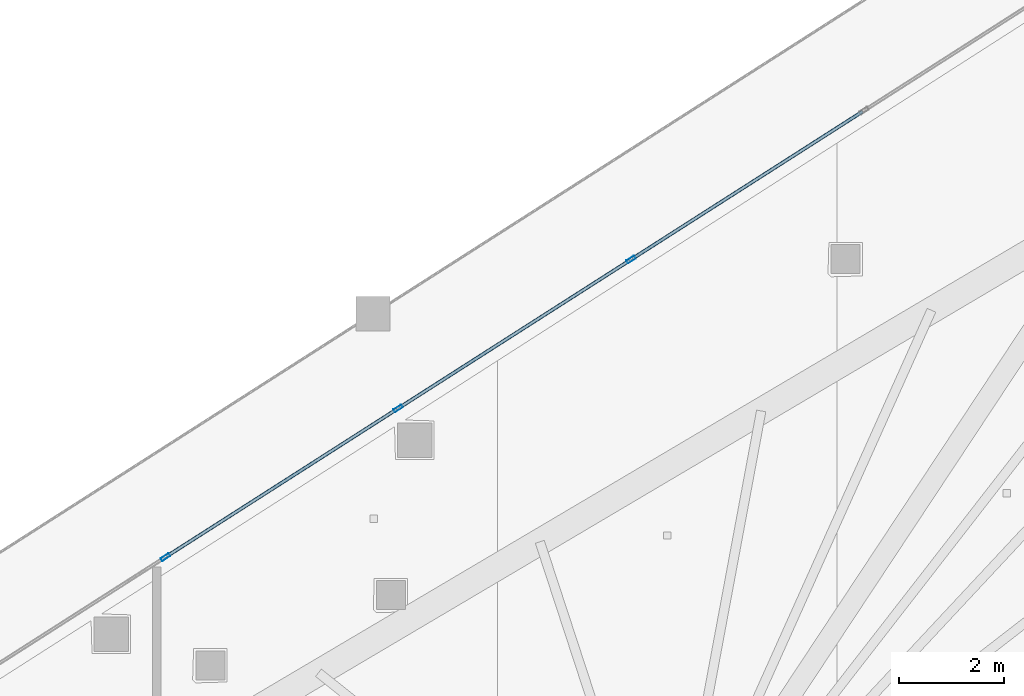
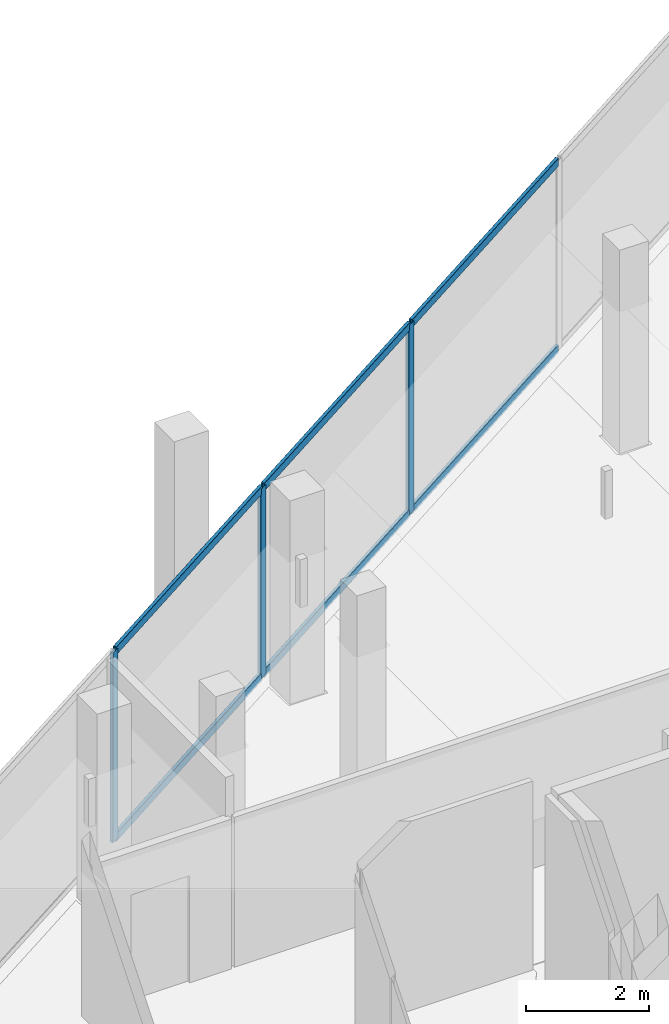
# One storey, part 16 of 30: 9 members, 1 element without a shape of its own.
"""IFC4 building model written with IfcOpenShell, lengths in metres."""

import ifcopenshell
import ifcopenshell.guid

model = None  # the IFC model being written
_history = None  # IfcOwnerHistory: only IFC2X3 demands one
_inside = {}  # id of a spatial element -> (the spatial element, [elements in it])
_under = {}  # id of a project, library or spatial element -> (it, [spatial elements below it])
_declared = {}  # id of a project -> (the project, [libraries it declares])
_typed = {}  # id of a type object -> (the type object, [elements of that type])
_made_of = {}  # id of a material, layer set ... -> (it, [elements and type objects made of it])


def new_model(schema):
    """Start an empty IFC model of exactly this schema.

    Asked for "IFC4X3", IfcOpenShell would pick the latest addendum, in which some entities
    have other attributes; the version numbers below select the first issue.
    IFC2X3 requires an IfcOwnerHistory on every rooted entity: one is made here for all.
    """
    global model, _history
    if schema == "IFC4X3":
        model = ifcopenshell.file(schema_version=(4, 3, 0, 0))
    else:
        model = ifcopenshell.file(schema=schema)
    _inside.clear()
    _under.clear()
    _declared.clear()
    _typed.clear()
    _made_of.clear()
    _history = None
    if model.schema == "IFC2X3":
        org = make("IfcOrganization", Name="unknown")
        user = make(
            "IfcPersonAndOrganization",
            ThePerson=make("IfcPerson", FamilyName="unknown"),
            TheOrganization=org,
        )
        app = make(
            "IfcApplication",
            ApplicationDeveloper=org,
            Version="unknown",
            ApplicationFullName="unknown",
            ApplicationIdentifier="unknown",
        )
        _history = make(
            "IfcOwnerHistory",
            OwningUser=user,
            OwningApplication=app,
            ChangeAction="ADDED",
            CreationDate=0,
        )
    return model


def make(cls, **values):
    """One entity of the class cls with the attributes given. An attribute that is None is left unset."""
    return model.create_entity(
        cls, **{name: value for name, value in values.items() if value is not None}
    )


def rooted(cls, **values):
    """An entity with a GlobalId (a new one), such as an element, a storey or a relation."""
    return make(cls, GlobalId=ifcopenshell.guid.new(), OwnerHistory=_history, **values)


def si_unit(unit_type, name, prefix=None):
    """IfcSIUnit, for example si_unit("LENGTHUNIT", "METRE", prefix="MILLI")."""
    return make("IfcSIUnit", UnitType=unit_type, Prefix=prefix, Name=name)


def assignment(units):
    """IfcUnitAssignment: the units of a project."""
    return None if units is None else make("IfcUnitAssignment", Units=units)


def point(xyz):
    """IfcCartesianPoint."""
    return None if xyz is None else make("IfcCartesianPoint", Coordinates=xyz)


def direction(xyz):
    """IfcDirection."""
    return None if xyz is None else make("IfcDirection", DirectionRatios=xyz)


def frame(location, z_axis=None, x_axis=None):
    """IfcAxis2Placement3D, a coordinate frame: its origin and axes. An axis left out is left unset."""
    return make(
        "IfcAxis2Placement3D",
        Location=point(location),
        Axis=direction(z_axis),
        RefDirection=direction(x_axis),
    )


def frame_2d(location, x_axis=None):
    """IfcAxis2Placement2D, a coordinate frame in the plane: its origin and x axis."""
    return make(
        "IfcAxis2Placement2D", Location=point(location), RefDirection=direction(x_axis)
    )


def origin():
    """The frame at (0, 0, 0) with its axes left unset."""
    return frame((0.0, 0.0, 0.0))


def origin_2d():
    """The frame at (0, 0) in the plane with its x axis left unset."""
    return frame_2d((0.0, 0.0))


def place(relative_to, where):
    """IfcLocalPlacement: puts the frame where relative to a parent placement (None: the world)."""
    return make(
        "IfcLocalPlacement", PlacementRelTo=relative_to, RelativePlacement=where
    )


def context(
    kind, dimensions, precision=None, world=None, true_north=None, identifier=None
):
    """IfcGeometricRepresentationContext, for example the 3D "Model" context."""
    return make(
        "IfcGeometricRepresentationContext",
        ContextIdentifier=identifier,
        ContextType=kind,
        CoordinateSpaceDimension=dimensions,
        Precision=precision,
        WorldCoordinateSystem=world,
        TrueNorth=true_north,
    )


def subcontext(parent, identifier, kind, view, scale=None):
    """IfcGeometricRepresentationSubContext, for example "Body" below "Model"."""
    return make(
        "IfcGeometricRepresentationSubContext",
        ContextIdentifier=identifier,
        ContextType=kind,
        ParentContext=parent,
        TargetScale=scale,
        TargetView=view,
    )


def project(units=None, contexts=None):
    """IfcProject with its units and contexts."""
    return rooted(
        "IfcProject",
        Name="project",
        RepresentationContexts=contexts,
        UnitsInContext=assignment(units),
    )


def spatial(cls, under=None, at=None, **own):
    """A site, building, storey or space (cls), placed at a placement, below another one or the project."""
    s = rooted(cls, ObjectPlacement=at, **own)
    if under is not None:
        _under.setdefault(under.id(), (under, []))[1].append(s)
    return s


def profile(cls, at=None, kind="AREA", **sizes):
    """A parametric profile (cls). Its sizes go by their IFC names, for example OverallWidth=200.0."""
    return make(cls, ProfileType=kind, Position=at, **sizes)


def hollow_rectangle(**sizes):
    """IfcRectangleHollowProfileDef."""
    return profile("IfcRectangleHollowProfileDef", **sizes)


def extrude(swept, where, along, depth):
    """IfcExtrudedAreaSolid: the profile swept, set in the frame where, extruded along a direction by depth."""
    return make(
        "IfcExtrudedAreaSolid",
        SweptArea=swept,
        Position=where,
        ExtrudedDirection=direction(along),
        Depth=depth,
    )


def shape(context_of_items, identifier, shape_type, items):
    """IfcShapeRepresentation: the items that make up one representation, for example the "Body"."""
    return make(
        "IfcShapeRepresentation",
        ContextOfItems=context_of_items,
        RepresentationIdentifier=identifier,
        RepresentationType=shape_type,
        Items=items,
    )


def material(Name=None, Category=None):
    """IfcMaterial."""
    return make("IfcMaterial", Name=Name, Category=Category)


def layer(
    of_material, thickness, ventilated=None, Name=None, Category=None, Priority=None
):
    """IfcMaterialLayer: one layer of a wall or slab, of a material (None: an air gap)."""
    return make(
        "IfcMaterialLayer",
        Material=of_material,
        LayerThickness=thickness,
        IsVentilated=ventilated,
        Name=Name,
        Category=Category,
        Priority=Priority,
    )


def layer_set(layers, Name=None):
    """IfcMaterialLayerSet."""
    return make("IfcMaterialLayerSet", MaterialLayers=layers, LayerSetName=Name)


def material_profile(
    of_material, cross_section, Name=None, Category=None, Priority=None
):
    """IfcMaterialProfile: a cross section and its material."""
    return make(
        "IfcMaterialProfile",
        Name=Name,
        Material=of_material,
        Profile=cross_section,
        Priority=Priority,
        Category=Category,
    )


def profile_set(profiles, Name=None, composite=None):
    """IfcMaterialProfileSet."""
    return make(
        "IfcMaterialProfileSet",
        Name=Name,
        MaterialProfiles=profiles,
        CompositeProfile=composite,
    )


def made_of(thing, what):
    """Note that an element or type object is made of a material, layer set ...; save() writes the relation."""
    if what is not None:
        _made_of.setdefault(what.id(), (what, []))[1].append(thing)
    return thing


def type_object(cls, material=None, **own):
    """A type object (cls), such as IfcWallType, which elements share."""
    return made_of(rooted(cls, **own), material)


def element(
    cls,
    number,
    at=None,
    inside=None,
    cuts=None,
    type_object=None,
    material=None,
    context=None,
    identifier="Body",
    shape_type=None,
    held_by="IfcProductDefinitionShape",
    body=None,
    shapes=None,
    **own,
):
    """One element of the class cls, such as IfcWall. Its Tag is "e" and its number.

    at: its placement. inside: the storey or other place that contains it. cuts: it is an
    opening in that element (IfcRelVoidsElement). A single representation is given by context,
    identifier, shape_type and body (its items); several are given by shapes. held_by: the class
    of the entity that holds the representations. save() writes the other relations.
    """
    e = rooted(cls, Tag="e%d" % number, ObjectPlacement=at, **own)
    if body is not None:
        shapes = [shape(context, identifier, shape_type, body)]
    if shapes is not None:
        e.Representation = make(held_by, Representations=shapes)
    if inside is not None:
        _inside.setdefault(inside.id(), (inside, []))[1].append(e)
    if cuts is not None:
        rooted(
            "IfcRelVoidsElement", RelatingBuildingElement=cuts, RelatedOpeningElement=e
        )
    if type_object is not None:
        _typed.setdefault(type_object.id(), (type_object, []))[1].append(e)
    return made_of(e, material)


def aggregate(whole, parts):
    """IfcRelAggregates: a whole, such as a stair, and the parts it consists of."""
    return rooted("IfcRelAggregates", RelatingObject=whole, RelatedObjects=parts)


def save(model, path):
    """Write the relations noted so far, then the file.

    IfcRelAggregates (storeys below a building ...), IfcRelContainedInSpatialStructure (elements
    in a storey), IfcRelDefinesByType, IfcRelAssociatesMaterial and IfcRelDeclares: one each for
    every whole, place, type object, material and project.
    """
    for whole, parts in _under.values():
        aggregate(whole, parts)
    for where, things in _inside.values():
        rooted(
            "IfcRelContainedInSpatialStructure",
            RelatedElements=things,
            RelatingStructure=where,
        )
    for kind, things in _typed.values():
        rooted("IfcRelDefinesByType", RelatedObjects=things, RelatingType=kind)
    for what, things in _made_of.values():
        rooted("IfcRelAssociatesMaterial", RelatedObjects=things, RelatingMaterial=what)
    for by, libraries in _declared.values():
        rooted("IfcRelDeclares", RelatingContext=by, RelatedDefinitions=libraries)
    model.write(path)


model = new_model("IFC4")

# Units and contexts
model_context = context("Model", 3, precision=1e-05, world=origin(), true_north=direction((0.0, 1.0)))
body_context = subcontext(model_context, "Body", "Model", "MODEL_VIEW")
ifc_project = project(units=[si_unit("LENGTHUNIT", "METRE"), si_unit("AREAUNIT", "SQUARE_METRE"), si_unit("VOLUMEUNIT", "CUBIC_METRE"), si_unit("PLANEANGLEUNIT", "RADIAN"), si_unit("MASSUNIT", "GRAM", prefix="KILO")], contexts=[model_context])

# Site, building, storey
site_placement = place(None, origin())
site = spatial("IfcSite", under=ifc_project, at=site_placement, CompositionType="ELEMENT")
building_placement = place(site_placement, origin())
building = spatial("IfcBuilding", under=site, at=building_placement, Name="Qorvath Tower", CompositionType="ELEMENT")
storey_placement = place(building_placement, frame((0.0, 0.0, 217.199951171875)))
storey = spatial("IfcBuildingStorey", under=building, at=storey_placement, Name="L50", CompositionType="ELEMENT", Elevation=217.199951171875)

# Curtain wall, members
ifc_material_1 = material(Name="Anodised aluminium and triple low-E glass", Category="aluminium")
ifc_layer = layer(ifc_material_1, 0.179931640625)
ifc_layer_set = layer_set([ifc_layer], Name="CW-SYS-3")
curtain_wall_type = type_object("IfcCurtainWallType", Name="CW-SYS-3", PredefinedType="NOTDEFINED", material=ifc_layer_set)
curtain_wall_placement = place(storey_placement, origin())
curtain_wall = element("IfcCurtainWall", 1, at=curtain_wall_placement, inside=storey, type_object=curtain_wall_type, Name="Curtain Wall CW-3 CW-T-L50-16.1", PredefinedType="NOTDEFINED")
ifc_material_2 = material(Name="Anodised aluminium 6063-T6", Category="aluminium")
ifc_material_profile_1 = material_profile(ifc_material_2, hollow_rectangle(XDim=0.06494140625, YDim=0.179931640625, WallThickness=0.00341796875, InnerFilletRadius=0.00341796875, OuterFilletRadius=0.007080078125, at=origin_2d()), Name="CWM 180x65")
ifc_profile_set_1 = profile_set([ifc_material_profile_1], Name="Anodised aluminium 6063-T6")
member_type_1 = type_object("IfcMemberType", Name="CWM-180", PredefinedType="MULLION", material=ifc_profile_set_1)
member_1_placement = place(storey_placement, frame((-26.122802734375, 20.48828125, 0.0), z_axis=(0.0, 0.0, 1.0), x_axis=(0.538534785809, -0.842603278224, 0.0)))
member_1 = element("IfcMember", 2, at=member_1_placement, type_object=member_type_1, Name="CW-3 mullion 3", PredefinedType="MULLION", context=body_context, shape_type="SweptSolid", body=[
    extrude(hollow_rectangle(XDim=0.06494140625, YDim=0.179931640625, WallThickness=0.00341796875, InnerFilletRadius=0.00341796875, OuterFilletRadius=0.007080078125, at=origin_2d()), origin(), (0.0, 0.0, 1.0), 3.780029296875),
])
member_2_placement = place(storey_placement, frame((-30.5400390625, 17.6650390625, 0.0), z_axis=(0.0, 0.0, 1.0), x_axis=(0.538534785809, -0.842603278224, 0.0)))
member_2 = element("IfcMember", 3, at=member_2_placement, type_object=member_type_1, Name="CW-3 mullion 4", PredefinedType="MULLION", context=body_context, shape_type="SweptSolid", body=[
    extrude(hollow_rectangle(XDim=0.06494140625, YDim=0.179931640625, WallThickness=0.00341796875, InnerFilletRadius=0.00341796875, OuterFilletRadius=0.007080078125, at=origin_2d()), origin(), (0.0, 0.0, 1.0), 3.780029296875),
])
member_3_placement = place(storey_placement, frame((-34.95703125, 14.842041015625, 0.0), z_axis=(0.0, 0.0, 1.0), x_axis=(0.538534785809, -0.842603278224, 0.0)))
member_3 = element("IfcMember", 4, at=member_3_placement, type_object=member_type_1, Name="CW-3 mullion 5", PredefinedType="MULLION", context=body_context, shape_type="SweptSolid", body=[
    extrude(hollow_rectangle(XDim=0.06494140625, YDim=0.179931640625, WallThickness=0.00341796875, InnerFilletRadius=0.00341796875, OuterFilletRadius=0.007080078125, at=origin_2d()), origin(), (0.0, 0.0, 1.0), 3.780029296875),
])
ifc_material_3 = material(Name="Anodised aluminium 6063-T6", Category="aluminium")
ifc_material_profile_2 = material_profile(ifc_material_3, hollow_rectangle(XDim=0.06494140625, YDim=0.159912109375, WallThickness=0.00341796875, InnerFilletRadius=0.00341796875, OuterFilletRadius=0.007080078125, at=origin_2d()), Name="CWT 160x65")
ifc_profile_set_2 = profile_set([ifc_material_profile_2], Name="Anodised aluminium 6063-T6")
member_type_2 = type_object("IfcMemberType", Name="CWT-160", PredefinedType="USERDEFINED", material=ifc_profile_set_2)
member_4_placement = place(storey_placement, frame((-21.733154296875, 23.2939453125, 0.032470703125), z_axis=(-0.842603535115, -0.538534383871, 0.0), x_axis=(0.538534383871, -0.842603535115, 0.0)))
member_4 = element("IfcMember", 5, at=member_4_placement, type_object=member_type_2, Name="CW-3 transom 2.1", ObjectType="TRANSOM", PredefinedType="USERDEFINED", context=body_context, shape_type="SweptSolid", body=[
    extrude(hollow_rectangle(XDim=0.06494140625, YDim=0.159912109375, WallThickness=0.00341796875, InnerFilletRadius=0.00341796875, OuterFilletRadius=0.007080078125, at=origin_2d()), origin(), (0.0, 0.0, 1.0), 5.17724609375),
])
member_5_placement = place(storey_placement, frame((-21.733154296875, 23.2939453125, 3.74755859375), z_axis=(-0.842603535115, -0.538534383871, 0.0), x_axis=(0.538534383871, -0.842603535115, 0.0)))
member_5 = element("IfcMember", 6, at=member_5_placement, type_object=member_type_2, Name="CW-3 transom 2.2", ObjectType="TRANSOM", PredefinedType="USERDEFINED", context=body_context, shape_type="SweptSolid", body=[
    extrude(hollow_rectangle(XDim=0.06494140625, YDim=0.159912109375, WallThickness=0.00341796875, InnerFilletRadius=0.00341796875, OuterFilletRadius=0.007080078125, at=origin_2d()), origin(), (0.0, 0.0, 1.0), 5.17724609375),
])
member_6_placement = place(storey_placement, frame((-26.150146484375, 20.470703125, 0.032470703125), z_axis=(-0.842617210776, -0.538512986013, 0.0), x_axis=(0.538512986013, -0.842617210776, 0.0)))
member_6 = element("IfcMember", 7, at=member_6_placement, type_object=member_type_2, Name="CW-3 transom 3.1", ObjectType="TRANSOM", PredefinedType="USERDEFINED", context=body_context, shape_type="SweptSolid", body=[
    extrude(hollow_rectangle(XDim=0.06494140625, YDim=0.159912109375, WallThickness=0.00341796875, InnerFilletRadius=0.00341796875, OuterFilletRadius=0.007080078125, at=origin_2d()), origin(), (0.0, 0.0, 1.0), 5.177490234375),
])
member_7_placement = place(storey_placement, frame((-26.150146484375, 20.470703125, 3.74755859375), z_axis=(-0.842617210776, -0.538512986013, 0.0), x_axis=(0.538512986013, -0.842617210776, 0.0)))
member_7 = element("IfcMember", 8, at=member_7_placement, type_object=member_type_2, Name="CW-3 transom 3.2", ObjectType="TRANSOM", PredefinedType="USERDEFINED", context=body_context, shape_type="SweptSolid", body=[
    extrude(hollow_rectangle(XDim=0.06494140625, YDim=0.159912109375, WallThickness=0.00341796875, InnerFilletRadius=0.00341796875, OuterFilletRadius=0.007080078125, at=origin_2d()), origin(), (0.0, 0.0, 1.0), 5.177490234375),
])
member_8_placement = place(storey_placement, frame((-30.5673828125, 17.647705078125, 0.032470703125), z_axis=(-0.842582136458, -0.538567863246, 0.0), x_axis=(0.538567863246, -0.842582136458, 0.0)))
member_8 = element("IfcMember", 9, at=member_8_placement, type_object=member_type_2, Name="CW-3 transom 4.1", ObjectType="TRANSOM", PredefinedType="USERDEFINED", context=body_context, shape_type="SweptSolid", body=[
    extrude(hollow_rectangle(XDim=0.06494140625, YDim=0.159912109375, WallThickness=0.00341796875, InnerFilletRadius=0.00341796875, OuterFilletRadius=0.007080078125, at=origin_2d()), origin(), (0.0, 0.0, 1.0), 5.17724609375),
])
member_9_placement = place(storey_placement, frame((-30.5673828125, 17.647705078125, 3.74755859375), z_axis=(-0.842582136458, -0.538567863246, 0.0), x_axis=(0.538567863246, -0.842582136458, 0.0)))
member_9 = element("IfcMember", 10, at=member_9_placement, type_object=member_type_2, Name="CW-3 transom 4.2", ObjectType="TRANSOM", PredefinedType="USERDEFINED", context=body_context, shape_type="SweptSolid", body=[
    extrude(hollow_rectangle(XDim=0.06494140625, YDim=0.159912109375, WallThickness=0.00341796875, InnerFilletRadius=0.00341796875, OuterFilletRadius=0.007080078125, at=origin_2d()), origin(), (0.0, 0.0, 1.0), 5.17724609375),
])
aggregate(curtain_wall, [member_1, member_2, member_3, member_4, member_5, member_6, member_7, member_8, member_9])

save(model, "model.ifc")
